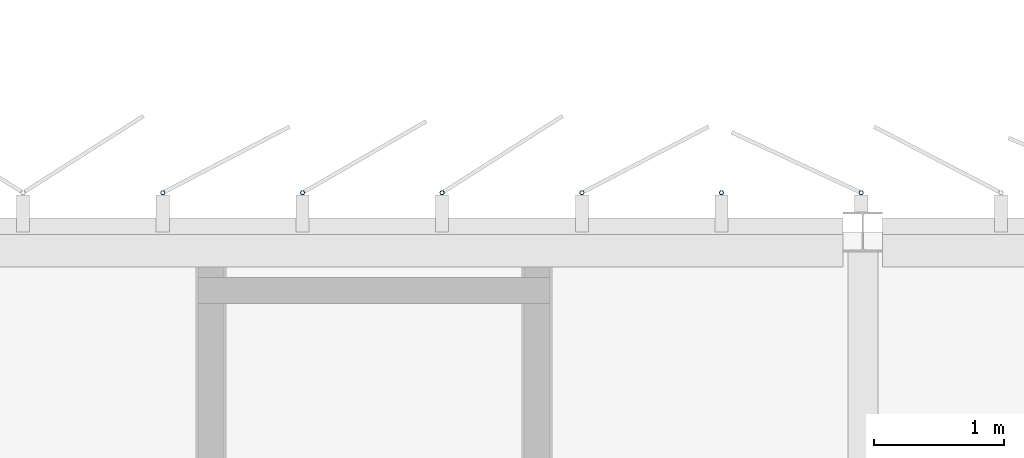
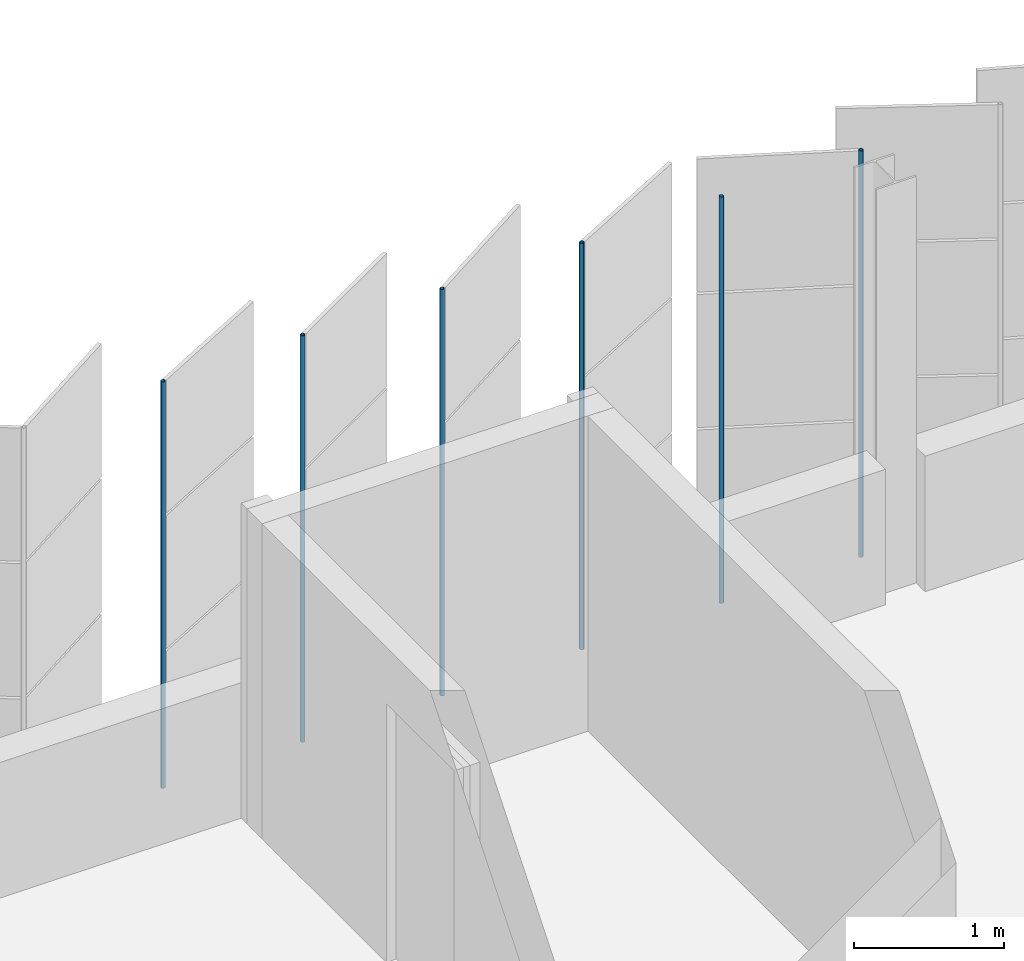
# One storey, part 137 of 199: 6 discrete accessories.
"""IFC4 building model written with IfcOpenShell, lengths in metres."""

from ifc_helpers import new_model, si_unit, direction, frame, origin, origin_2d, place, context, subcontext, project, spatial, hollow_circle, extrude, material, material_profile, profile_set, type_object, element, save


model = new_model("IFC4")

# Units and contexts
model_context = context("Model", 3, precision=1e-05, world=origin(), true_north=direction((0.0, 1.0)))
body_context = subcontext(model_context, "Body", "Model", "MODEL_VIEW")
ifc_project = project(units=[si_unit("LENGTHUNIT", "METRE"), si_unit("AREAUNIT", "SQUARE_METRE"), si_unit("VOLUMEUNIT", "CUBIC_METRE"), si_unit("PLANEANGLEUNIT", "RADIAN"), si_unit("MASSUNIT", "GRAM", prefix="KILO")], contexts=[model_context])

# Site, building, storey
site_placement = place(None, origin())
site = spatial("IfcSite", under=ifc_project, at=site_placement, CompositionType="ELEMENT")
building_placement = place(site_placement, origin())
building = spatial("IfcBuilding", under=site, at=building_placement, Name="Parallax Yard Mobility Hub", CompositionType="ELEMENT")
storey_placement = place(building_placement, frame((0.0, 0.0, 9.89990234375)))
storey = spatial("IfcBuildingStorey", under=building, at=storey_placement, Name="L03", CompositionType="ELEMENT", Elevation=9.89990234375)

# Discrete accessories
ifc_material = material(Name="Steel ASTM A500 Gr C, hot-dip galvanised", Category="steel")
ifc_material_profile = material_profile(ifc_material, hollow_circle(Radius=0.016845703125, WallThickness=0.003173828125, at=origin_2d()), Name="CHS 33.7x3.2")
ifc_profile_set = profile_set([ifc_material_profile], Name="Steel ASTM A500 Gr C, hot-dip galvanised")
discrete_accessory_type = type_object("IfcDiscreteAccessoryType", Name="Hinge post CHS 33.7x3.2", PredefinedType="BRACKET", material=ifc_profile_set)
for number, where, z_axis, x_axis, name in (
    (1, (52.48779296875, 142.800048828125, 0.0), (0.0, 0.0, 1.0), (1.0, 0.0, 0.0), "Hinge post bay 67.1 level L03"),
    (2, (51.416015625, 142.800048828125, 0.0), (0.0, 0.0, 1.0), (1.0, 0.0, 0.0), "Hinge post bay 67.2 level L03"),
    (3, (50.344482421875, 142.800048828125, 0.0), (0.0, 0.0, 1.0), (1.0, 0.0, 0.0), "Hinge post bay 67.3 level L03"),
    (4, (49.27294921875, 142.800048828125, 0.0), (0.0, 0.0, 1.0), (1.0, 0.0, 0.0), "Hinge post bay 67.4 level L03"),
    (5, (48.201416015625, 142.800048828125, 0.0), (0.0, 0.0, 1.0), (1.0, 0.0, 0.0), "Hinge post bay 67.5 level L03"),
    (6, (47.1298828125, 142.800048828125, 0.0), (0.0, 0.0, 1.0), (1.0, 0.0, 0.0), "Hinge post bay 67.6 level L03"),
):
    element("IfcDiscreteAccessory", number, at=place(storey_placement, frame(where, z_axis=z_axis, x_axis=x_axis)), inside=storey, type_object=discrete_accessory_type, Name=name, PredefinedType="BRACKET", context=body_context, shape_type="SweptSolid", body=[
        extrude(hollow_circle(Radius=0.016845703125, WallThickness=0.003173828125, at=origin_2d()), origin(), (0.0, 0.0, 1.0), 3.300048828125),
    ])

save(model, "model.ifc")
